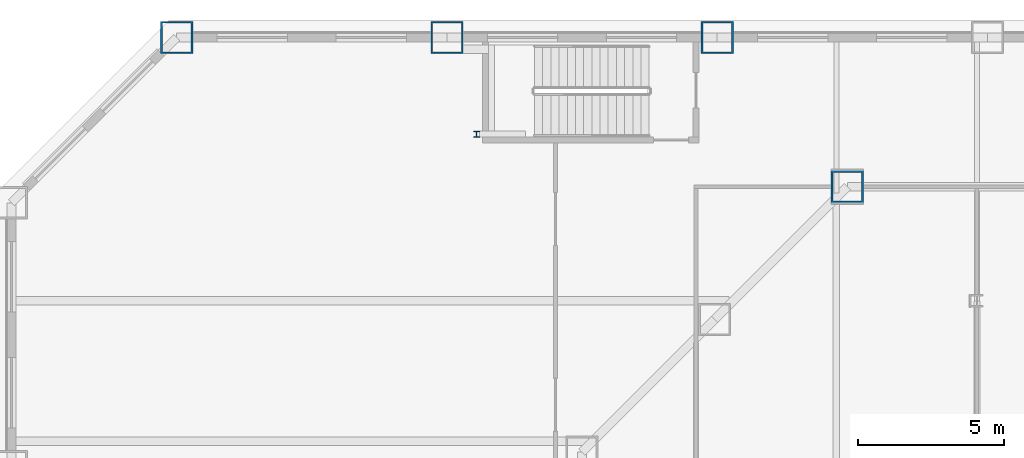
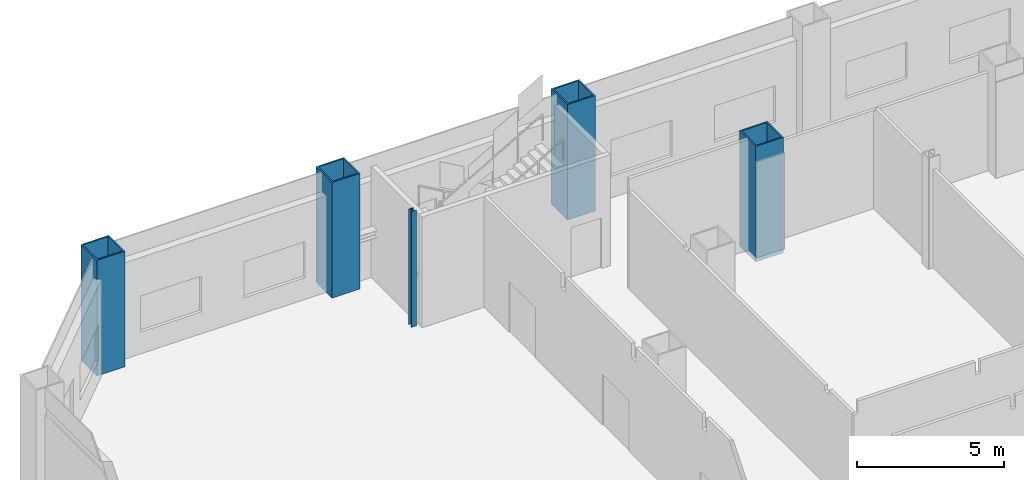
# One storey, part 3 of 26: 5 columns.
"""IFC4 building model written with IfcOpenShell, lengths in metres."""

from ifc_helpers import new_model, si_unit, direction, frame, origin, origin_2d, place, context, subcontext, project, spatial, hollow_rectangle, i_section, extrude, material, material_profile, profile_set, type_object, element, save


model = new_model("IFC4")

# Units and contexts
model_context = context("Model", 3, precision=1e-05, world=origin(), true_north=direction((0.0, 1.0)))
body_context = subcontext(model_context, "Body", "Model", "MODEL_VIEW")
ifc_project = project(units=[si_unit("LENGTHUNIT", "METRE"), si_unit("AREAUNIT", "SQUARE_METRE"), si_unit("VOLUMEUNIT", "CUBIC_METRE"), si_unit("PLANEANGLEUNIT", "RADIAN"), si_unit("MASSUNIT", "GRAM", prefix="KILO")], contexts=[model_context])

# Site, building, storey
site_placement = place(None, origin())
site = spatial("IfcSite", under=ifc_project, at=site_placement, CompositionType="ELEMENT")
building_placement = place(site_placement, origin())
building = spatial("IfcBuilding", under=site, at=building_placement, Name="Cairn Pilgrim Tower", CompositionType="ELEMENT")
storey_placement = place(building_placement, frame((0.0, 0.0, 25.800048828125)))
storey = spatial("IfcBuildingStorey", under=building, at=storey_placement, Name="L04", CompositionType="ELEMENT", Elevation=25.800048828125)

# Columns
ifc_material_1 = material(Name="Structural steel S460M", Category="steel")
ifc_material_profile_1 = material_profile(ifc_material_1, hollow_rectangle(XDim=1.10009765625, YDim=1.10009765625, WallThickness=0.06005859375, at=origin_2d()), Name="BOX 1100x1100x60")
ifc_profile_set_1 = profile_set([ifc_material_profile_1], Name="Structural steel S460M")
column_type_1 = type_object("IfcColumnType", Name="BOX 1100x1100x60", PredefinedType="COLUMN", material=ifc_profile_set_1)
column_1_placement = place(storey_placement, frame((-18.8271484375, 23.10009765625, -0.199951171875), z_axis=(0.0, 0.0, 1.0), x_axis=(1.0, 0.0, 0.0)))
element("IfcColumn", 1, at=column_1_placement, inside=storey, type_object=column_type_1, Name="PC1-NW1", PredefinedType="COLUMN", context=body_context, shape_type="SweptSolid", body=[
    extrude(hollow_rectangle(XDim=1.10009765625, YDim=1.10009765625, WallThickness=0.06005859375, at=origin_2d()), origin(), (0.0, 0.0, 1.0), 4.7998046875),
])
ifc_material_profile_2 = material_profile(ifc_material_1, hollow_rectangle(XDim=1.10009765625, YDim=1.10009765625, WallThickness=0.06005859375, at=origin_2d()), Name="BOX 1100x1100x60")
ifc_profile_set_2 = profile_set([ifc_material_profile_2], Name="Structural steel S460M")
column_type_2 = type_object("IfcColumnType", Name="PILOTIS CFT 1100", PredefinedType="COLUMN", material=ifc_profile_set_2)
for number, where, z_axis, x_axis, name in (
    (2, (-23.275634765625, 28.199951171875, 0.0), (0.0, 0.0, 1.0), (1.0, 0.0, 0.0), "PILOTIS PL-N7"),
    (3, (-32.513671875, 28.199951171875, 0.0), (0.0, 0.0, 1.0), (1.0, 0.0, 0.0), "PILOTIS PL-N8"),
    (4, (-41.75146484375, 28.199951171875, 0.0), (0.0, 0.0, 1.0), (1.0, 0.0, 0.0), "PILOTIS PL-NW1"),
):
    element("IfcColumn", number, at=place(storey_placement, frame(where, z_axis=z_axis, x_axis=x_axis)), inside=storey, type_object=column_type_2, Name=name, PredefinedType="COLUMN", context=body_context, shape_type="SweptSolid", body=[
        extrude(hollow_rectangle(XDim=1.10009765625, YDim=1.10009765625, WallThickness=0.06005859375, at=origin_2d()), origin(), (0.0, 0.0, 1.0), 4.800048828125),
    ])
ifc_material_2 = material(Name="Structural steel S355J2", Category="steel")
ifc_material_profile_3 = material_profile(ifc_material_2, i_section(OverallWidth=0.199951171875, OverallDepth=0.199951171875, WebThickness=0.009033203125, FlangeThickness=0.014892578125, FilletRadius=0.01806640625, at=origin_2d()), Name="HE 200 B")
ifc_profile_set_3 = profile_set([ifc_material_profile_3], Name="Structural steel S355J2")
column_type_3 = type_object("IfcColumnType", Name="STAIR POST HE 200 B", PredefinedType="COLUMN", material=ifc_profile_set_3)
column_2_placement = place(storey_placement, frame((-31.5, 24.89990234375, 0.0), z_axis=(0.0, 0.0, 1.0), x_axis=(1.0, 0.0, 0.0)))
element("IfcColumn", 5, at=column_2_placement, inside=storey, type_object=column_type_3, Name="STAIR POST LP-HN-W", PredefinedType="COLUMN", context=body_context, shape_type="SweptSolid", body=[
    extrude(i_section(OverallWidth=0.199951171875, OverallDepth=0.199951171875, WebThickness=0.009033203125, FlangeThickness=0.014892578125, FilletRadius=0.01806640625, at=origin_2d()), origin(), (0.0, 0.0, 1.0), 4.800048828125),
])

save(model, "model.ifc")
